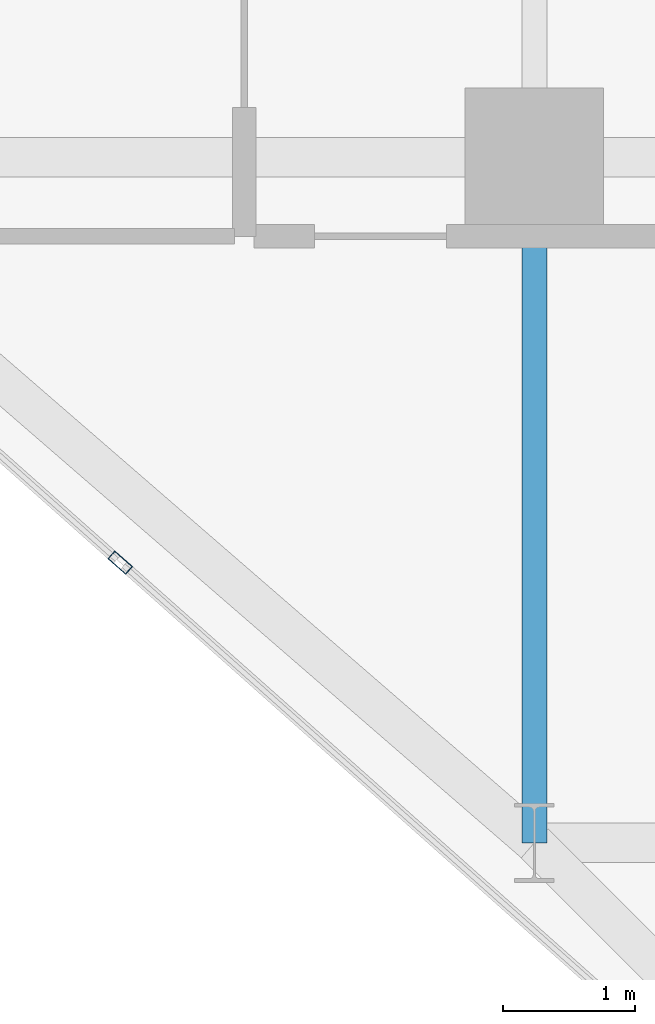
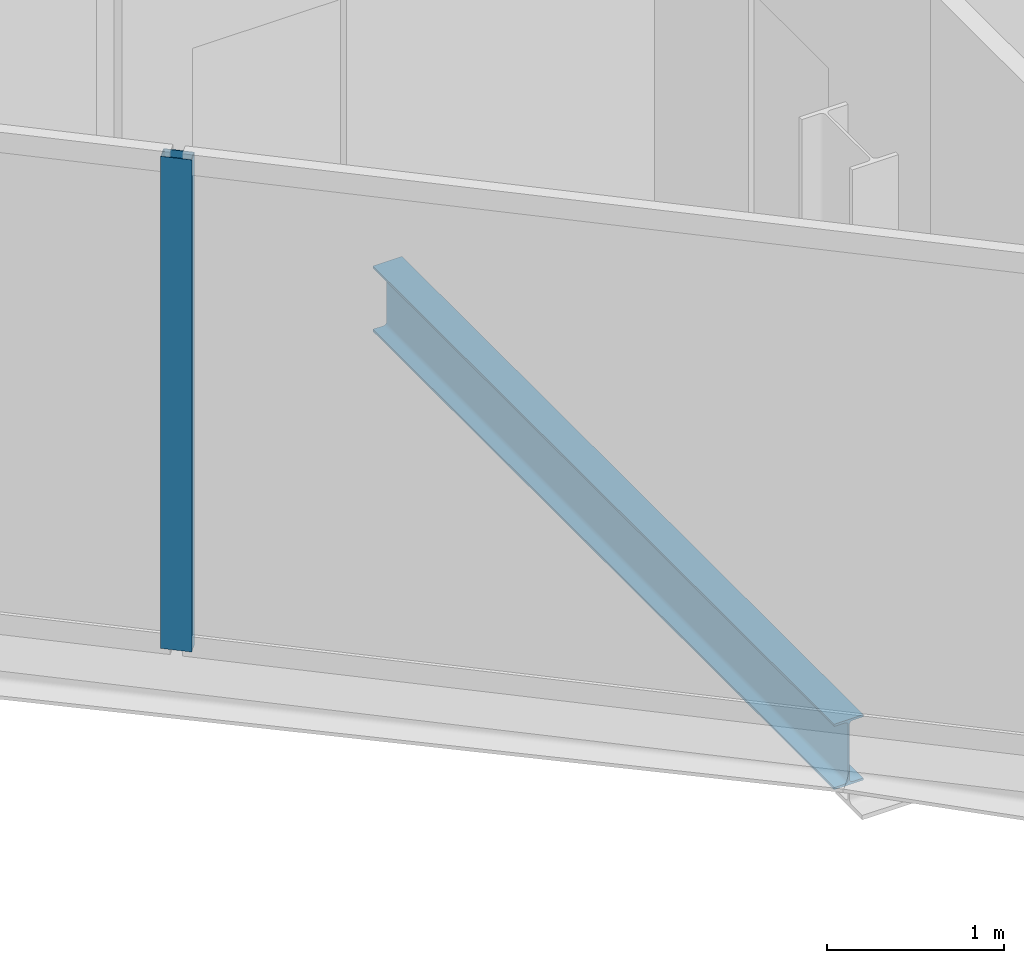
# One storey, part 3 of 29: 1 beam, 1 member, 1 element without a shape of its own.
"""IFC4 building model written with IfcOpenShell, lengths in metres."""

from ifc_helpers import new_model, si_unit, direction, frame, origin, origin_2d, place, context, subcontext, project, spatial, hollow_rectangle, i_section, extrude, material, layer, layer_set, material_profile, profile_set, type_object, element, aggregate, save


model = new_model("IFC4")

# Units and contexts
model_context = context("Model", 3, precision=1e-05, world=origin(), true_north=direction((0.0, 1.0)))
body_context = subcontext(model_context, "Body", "Model", "MODEL_VIEW")
ifc_project = project(units=[si_unit("LENGTHUNIT", "METRE"), si_unit("AREAUNIT", "SQUARE_METRE"), si_unit("VOLUMEUNIT", "CUBIC_METRE"), si_unit("PLANEANGLEUNIT", "RADIAN"), si_unit("MASSUNIT", "GRAM", prefix="KILO")], contexts=[model_context])

# Site, building, storey
site_placement = place(None, origin())
site = spatial("IfcSite", under=ifc_project, at=site_placement, CompositionType="ELEMENT")
building_placement = place(site_placement, origin())
building = spatial("IfcBuilding", under=site, at=building_placement, Name="Keshet Zoharim Tower", CompositionType="ELEMENT")
storey_placement = place(building_placement, frame((0.0, 0.0, 94.60009765625)))
storey = spatial("IfcBuildingStorey", under=building, at=storey_placement, Name="L22", CompositionType="ELEMENT", Elevation=94.60009765625)

# Beam
ifc_material_1 = material(Name="Steel S355", Category="steel")
ifc_material_profile_1 = material_profile(ifc_material_1, i_section(OverallWidth=0.18994140625, OverallDepth=0.449951171875, WebThickness=0.009521484375, FlangeThickness=0.0146484375, FilletRadius=0.02099609375, at=origin_2d()), Name="IPE450")
ifc_profile_set_1 = profile_set([ifc_material_profile_1], Name="Steel S355")
beam_type = type_object("IfcBeamType", Name="BM-PRI-IP450", PredefinedType="BEAM", material=ifc_profile_set_1)
beam_placement = place(storey_placement, frame((15.0, 12.699951171875, -0.5400390625), z_axis=(0.0, 1.0, 0.0), x_axis=(-1.0, 0.0, 0.0)))
element("IfcBeam", 1, at=beam_placement, inside=storey, type_object=beam_type, Name="L22 Primary Girder Y-002", PredefinedType="BEAM", context=body_context, shape_type="SweptSolid", body=[
    extrude(i_section(OverallWidth=0.18994140625, OverallDepth=0.449951171875, WebThickness=0.009521484375, FlangeThickness=0.0146484375, FilletRadius=0.02099609375, at=origin_2d()), origin(), (0.0, 0.0, 1.0), 5.199951171875),
])

# Curtain wall, member
ifc_material_2 = material(Name="Aluminium 6063-T6", Category="aluminium")
ifc_layer = layer(ifc_material_2, 0.159912109375)
ifc_layer_set = layer_set([ifc_layer], Name="Aluminium 6063-T6")
curtain_wall_type = type_object("IfcCurtainWallType", Name="CW-SYS-03", PredefinedType="NOTDEFINED", material=ifc_layer_set)
curtain_wall_placement = place(storey_placement, origin())
curtain_wall = element("IfcCurtainWall", 2, at=curtain_wall_placement, inside=storey, type_object=curtain_wall_type, Name="L22 Unitised Curtain Wall 07 Part 2", PredefinedType="NOTDEFINED")
ifc_material_profile_2 = material_profile(ifc_material_2, hollow_rectangle(XDim=0.080078125, YDim=0.179931640625, WallThickness=0.00439453125, at=origin_2d()), Name="MUL-80x180")
ifc_profile_set_2 = profile_set([ifc_material_profile_2], Name="Aluminium 6063-T6")
member_type = type_object("IfcMemberType", Name="CWM-M18", PredefinedType="MULLION", material=ifc_profile_set_2)
member_placement = place(storey_placement, frame((11.859619140625, 14.82470703125, 0.0), z_axis=(0.0, 0.0, 1.0), x_axis=(-0.664364135264, -0.747409055186, 0.0)))
member = element("IfcMember", 3, at=member_placement, type_object=member_type, Name="CW-03 mullion 2", PredefinedType="MULLION", context=body_context, shape_type="SweptSolid", body=[
    extrude(hollow_rectangle(XDim=0.080078125, YDim=0.179931640625, WallThickness=0.00439453125, at=origin_2d()), origin(), (0.0, 0.0, 1.0), 3.385009765625),
])
aggregate(curtain_wall, [member])

save(model, "model.ifc")
